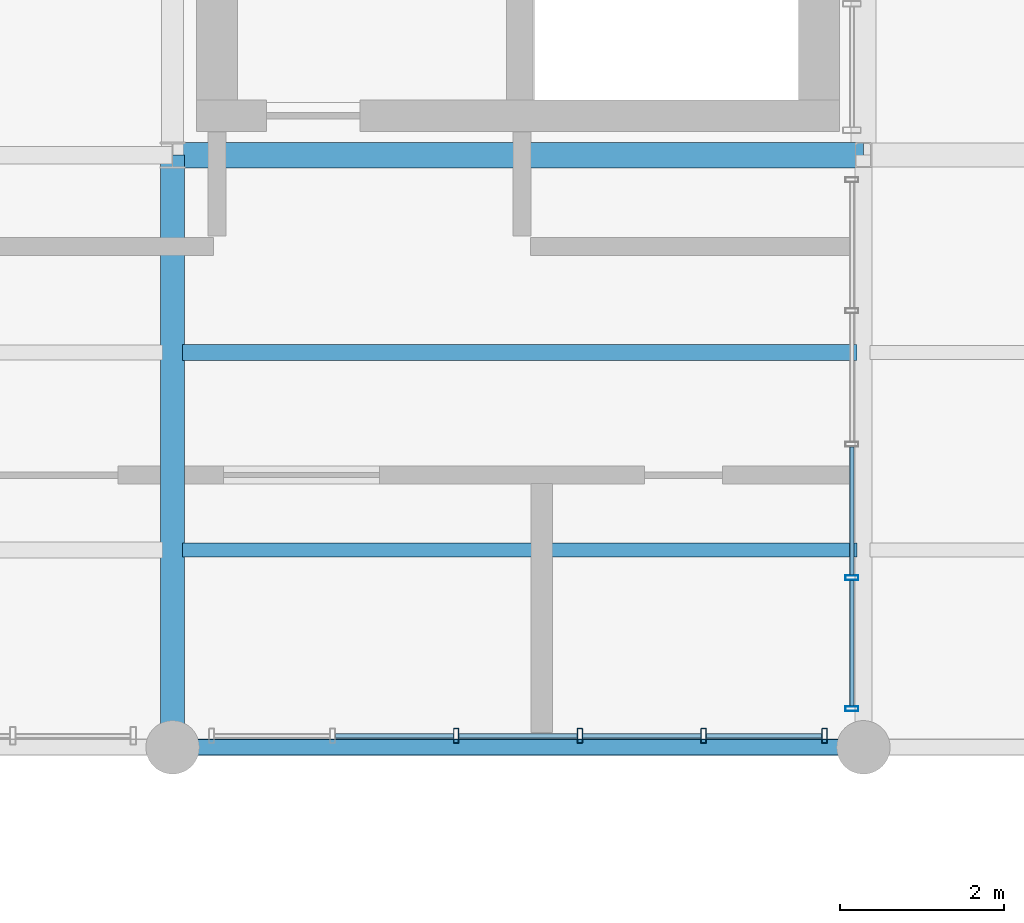
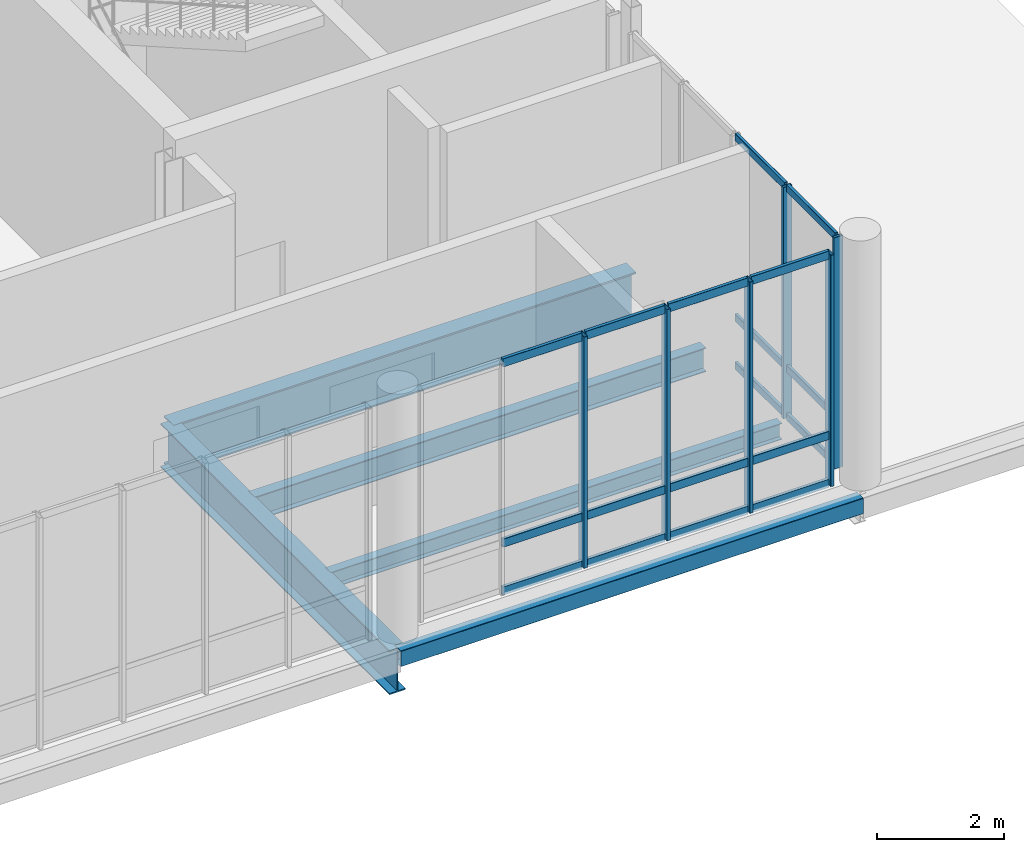
# One storey, part 32 of 81: 24 members, 5 beams, 2 elements without a shape of their own.
"""IFC4 building model written with IfcOpenShell, lengths in metres."""

from ifc_helpers import new_model, si_unit, direction, frame, origin_with_axes, origin_2d_with_axis, place, context, subcontext, project, spatial, hollow_rectangle, i_section, extrude, material, material_profile, profile_set, type_object, element, aggregate, save


model = new_model("IFC4")

# Units and contexts
model_context = context("Model", 3, precision=1e-05, world=origin_with_axes(), true_north=direction((0.0, 1.0)))
body_context = subcontext(model_context, "Body", "Model", "MODEL_VIEW")
ifc_project = project(units=[si_unit("LENGTHUNIT", "METRE"), si_unit("AREAUNIT", "SQUARE_METRE"), si_unit("VOLUMEUNIT", "CUBIC_METRE"), si_unit("PLANEANGLEUNIT", "RADIAN"), si_unit("MASSUNIT", "GRAM", prefix="KILO"), si_unit("THERMODYNAMICTEMPERATUREUNIT", "KELVIN")], contexts=[model_context])

# Site, building, storey
site_placement = place(None, origin_with_axes())
site = spatial("IfcSite", under=ifc_project, at=site_placement, CompositionType="ELEMENT")
building_placement = place(site_placement, origin_with_axes())
building = spatial("IfcBuilding", under=site, at=building_placement, Name="Montbau Bow Law Courts", CompositionType="ELEMENT")
storey_placement = place(building_placement, frame((0.0, 0.0, 24.9), z_axis=(0.0, 0.0, 1.0), x_axis=(1.0, 0.0, 0.0)))
storey = spatial("IfcBuildingStorey", under=building, at=storey_placement, Name="L05", CompositionType="ELEMENT", Elevation=24.9)

# Beams
ifc_material_1 = material(Name="Steel CSA G40.21 Grade 350W (350 MPa)", Category="steel")
ifc_material_profile_1 = material_profile(ifc_material_1, i_section(OverallWidth=0.306, OverallDepth=0.919, WebThickness=0.0173, FlangeThickness=0.0279, at=origin_2d_with_axis()), Name="W920X253", Category="Main", Priority=0)
ifc_profile_set_1 = profile_set([ifc_material_profile_1], Name="Steel CSA G40.21 Grade 350W (350 MPa)")
beam_type_1 = type_object("IfcBeamType", Name="B-FLR-01", PredefinedType="BEAM", material=ifc_profile_set_1)
beam_1_placement = place(None, frame((80.4, 46.2, 24.141), z_axis=(1.0, 0.0, 0.0), x_axis=(0.0, 1.0, 0.0)))
element("IfcBeam", 1, at=beam_1_placement, inside=storey, type_object=beam_type_1, Name="BM-L05-S0966:bm2_0969", PredefinedType="BEAM", context=body_context, shape_type="SweptSolid", body=[
    extrude(i_section(OverallWidth=0.306, OverallDepth=0.919, WebThickness=0.0173, FlangeThickness=0.0279, at=origin_2d_with_axis()), origin_with_axes(), (0.0, 0.0, 1.0), 8.4),
])
ifc_material_profile_2 = material_profile(ifc_material_1, i_section(OverallWidth=0.293, OverallDepth=0.846, WebThickness=0.0154, FlangeThickness=0.0244, at=origin_2d_with_axis()), Name="W840X210", Category="Main", Priority=0)
ifc_profile_set_2 = profile_set([ifc_material_profile_2], Name="Steel CSA G40.21 Grade 350W (350 MPa)")
beam_type_2 = type_object("IfcBeamType", Name="B-FLR-02", PredefinedType="BEAM", material=ifc_profile_set_2)
beam_2_placement = place(None, frame((80.4, 39.0, 24.177), z_axis=(0.0, 1.0, 0.0), x_axis=(-1.0, 0.0, 0.0)))
element("IfcBeam", 2, at=beam_2_placement, inside=storey, type_object=beam_type_2, Name="BM-L05-S0988:bm2_0991", PredefinedType="BEAM", context=body_context, shape_type="SweptSolid", body=[
    extrude(i_section(OverallWidth=0.293, OverallDepth=0.846, WebThickness=0.0154, FlangeThickness=0.0244, at=origin_2d_with_axis()), origin_with_axes(), (0.0, 0.0, 1.0), 7.2),
])
ifc_material_profile_3 = material_profile(ifc_material_1, i_section(OverallWidth=0.191, OverallDepth=0.46, WebThickness=0.0099, FlangeThickness=0.016, at=origin_2d_with_axis()), Name="W460X82", Category="Main", Priority=0)
ifc_profile_set_3 = profile_set([ifc_material_profile_3], Name="Steel CSA G40.21 Grade 350W (350 MPa)")
beam_type_3 = type_object("IfcBeamType", Name="B-JST-01", PredefinedType="JOIST", material=ifc_profile_set_3)
beam_3_placement = place(None, frame((80.523, 43.8, 24.37), z_axis=(1.0, 0.0, 0.0), x_axis=(0.0, 1.0, 0.0)))
element("IfcBeam", 3, at=beam_3_placement, inside=storey, type_object=beam_type_3, Name="JST-L05-S0504:jst2_0504", PredefinedType="JOIST", context=body_context, shape_type="SweptSolid", body=[
    extrude(i_section(OverallWidth=0.191, OverallDepth=0.46, WebThickness=0.0099, FlangeThickness=0.016, at=origin_2d_with_axis()), origin_with_axes(), (0.0, 0.0, 1.0), 8.196),
])
ifc_material_profile_4 = material_profile(ifc_material_1, i_section(OverallWidth=0.166, OverallDepth=0.313, WebThickness=0.0066, FlangeThickness=0.0112, at=origin_2d_with_axis()), Name="W310X45", Category="Main", Priority=0)
ifc_profile_set_4 = profile_set([ifc_material_profile_4], Name="Steel CSA G40.21 Grade 350W (350 MPa)")
beam_type_4 = type_object("IfcBeamType", Name="B-JST-04", PredefinedType="JOIST", material=ifc_profile_set_4)
beam_4_placement = place(None, frame((80.523, 41.4, 24.444), z_axis=(1.0, 0.0, 0.0), x_axis=(0.0, 1.0, 0.0)))
element("IfcBeam", 4, at=beam_4_placement, inside=storey, type_object=beam_type_4, Name="JST-L05-S0503:jst2_0503", PredefinedType="JOIST", context=body_context, shape_type="SweptSolid", body=[
    extrude(i_section(OverallWidth=0.166, OverallDepth=0.313, WebThickness=0.0066, FlangeThickness=0.0112, at=origin_2d_with_axis()), origin_with_axes(), (0.0, 0.0, 1.0), 8.196),
])
ifc_material_2 = material(Name="Steel CSA G40.21 Grade 350WT (350 MPa)", Category="steel")
ifc_material_profile_5 = material_profile(ifc_material_2, hollow_rectangle(XDim=0.203, YDim=0.305, WallThickness=0.0127, InnerFilletRadius=0.0254, OuterFilletRadius=0.0127, at=origin_2d_with_axis()), Name="HSS305X203X13", Category="Main", Priority=0)
ifc_profile_set_5 = profile_set([ifc_material_profile_5], Name="Steel CSA G40.21 Grade 350WT (350 MPa)")
beam_type_5 = type_object("IfcBeamType", Name="B-SPN-02", PredefinedType="SPANDREL", material=ifc_profile_set_5)
beam_5_placement = place(None, frame((80.4, 39.0, 24.448), z_axis=(1.0, 0.0, 0.0), x_axis=(0.0, 1.0, 0.0)))
element("IfcBeam", 5, at=beam_5_placement, inside=storey, type_object=beam_type_5, Name="SPN-L05-S0960:bm2_0963", PredefinedType="SPANDREL", context=body_context, shape_type="SweptSolid", body=[
    extrude(hollow_rectangle(XDim=0.203, YDim=0.305, WallThickness=0.0127, InnerFilletRadius=0.0254, OuterFilletRadius=0.0127, at=origin_2d_with_axis()), origin_with_axes(), (0.0, 0.0, 1.0), 8.4),
])

# Curtain wall, members
ifc_material_3 = material(Name="Thermally Broken Extruded Aluminium AA 6063-T6", Category="aluminium")
curtain_wall_type = type_object("IfcCurtainWallType", Name="CW-NCK-02", PredefinedType="NOTDEFINED", material=ifc_material_3)
curtain_wall_1_placement = place(None, frame((80.84, 39.14, 24.9), z_axis=(0.0, 0.0, 1.0), x_axis=(1.0, 0.0, 0.0)))
curtain_wall_1 = element("IfcCurtainWall", 6, at=curtain_wall_1_placement, inside=storey, type_object=curtain_wall_type, Name="CW-L05-214:cw_0214", PredefinedType="NOTDEFINED")
ifc_material_profile_6 = material_profile(ifc_material_3, hollow_rectangle(XDim=0.065, YDim=0.18, WallThickness=0.005, InnerFilletRadius=0.01, OuterFilletRadius=0.005, at=origin_2d_with_axis()), Name="CWM-180X65", Category="Main", Priority=0)
ifc_profile_set_6 = profile_set([ifc_material_profile_6], Name="Thermally Broken Extruded Aluminium AA 6063-T6")
member_type_1 = type_object("IfcMemberType", Name="M-MUL-02", PredefinedType="MULLION", material=ifc_profile_set_6)
member_1_placement = place(None, frame((83.848, 39.14, 24.9), z_axis=(0.0, 0.0, 1.0), x_axis=(1.0, 0.0, 0.0)))
member_1 = element("IfcMember", 7, at=member_1_placement, type_object=member_type_1, Name="CW-L05-214-M03:cw_0214_M03", PredefinedType="MULLION", context=body_context, shape_type="SweptSolid", body=[
    extrude(hollow_rectangle(XDim=0.065, YDim=0.18, WallThickness=0.005, InnerFilletRadius=0.01, OuterFilletRadius=0.005, at=origin_2d_with_axis()), origin_with_axes(), (0.0, 0.0, 1.0), 4.44),
])
member_2_placement = place(None, frame((85.352, 39.14, 24.9), z_axis=(0.0, 0.0, 1.0), x_axis=(1.0, 0.0, 0.0)))
member_2 = element("IfcMember", 8, at=member_2_placement, type_object=member_type_1, Name="CW-L05-214-M04:cw_0214_M04", PredefinedType="MULLION", context=body_context, shape_type="SweptSolid", body=[
    extrude(hollow_rectangle(XDim=0.065, YDim=0.18, WallThickness=0.005, InnerFilletRadius=0.01, OuterFilletRadius=0.005, at=origin_2d_with_axis()), origin_with_axes(), (0.0, 0.0, 1.0), 4.44),
])
member_3_placement = place(None, frame((86.856, 39.14, 24.9), z_axis=(0.0, 0.0, 1.0), x_axis=(1.0, 0.0, 0.0)))
member_3 = element("IfcMember", 9, at=member_3_placement, type_object=member_type_1, Name="CW-L05-214-M05:cw_0214_M05", PredefinedType="MULLION", context=body_context, shape_type="SweptSolid", body=[
    extrude(hollow_rectangle(XDim=0.065, YDim=0.18, WallThickness=0.005, InnerFilletRadius=0.01, OuterFilletRadius=0.005, at=origin_2d_with_axis()), origin_with_axes(), (0.0, 0.0, 1.0), 4.44),
])
member_4_placement = place(None, frame((88.327, 39.14, 24.9), z_axis=(0.0, 0.0, 1.0), x_axis=(1.0, 0.0, 0.0)))
member_4 = element("IfcMember", 10, at=member_4_placement, type_object=member_type_1, Name="CW-L05-214-M06:cw_0214_M06", PredefinedType="MULLION", context=body_context, shape_type="SweptSolid", body=[
    extrude(hollow_rectangle(XDim=0.065, YDim=0.18, WallThickness=0.005, InnerFilletRadius=0.01, OuterFilletRadius=0.005, at=origin_2d_with_axis()), origin_with_axes(), (0.0, 0.0, 1.0), 4.44),
])

curtain_wall_2_placement = place(None, frame((88.66, 39.44, 24.9), z_axis=(0.0, 0.0, 1.0), x_axis=(1.0, 0.0, 0.0)))
curtain_wall_2 = element("IfcCurtainWall", 11, at=curtain_wall_2_placement, inside=storey, type_object=curtain_wall_type, Name="CW-L05-221:cw_0221", PredefinedType="NOTDEFINED")
ifc_material_profile_7 = material_profile(ifc_material_3, hollow_rectangle(XDim=0.06, YDim=0.16, WallThickness=0.004, InnerFilletRadius=0.008, OuterFilletRadius=0.004, at=origin_2d_with_axis()), Name="CWM-160X60", Category="Main", Priority=0)
ifc_profile_set_7 = profile_set([ifc_material_profile_7], Name="Thermally Broken Extruded Aluminium AA 6063-T6")
member_type_2 = type_object("IfcMemberType", Name="M-MUL-03", PredefinedType="MULLION", material=ifc_profile_set_7)
member_5_placement = place(None, frame((88.66, 39.47, 24.9), z_axis=(0.0, 0.0, 1.0), x_axis=(0.0, 1.0, 0.0)))
member_5 = element("IfcMember", 12, at=member_5_placement, type_object=member_type_2, Name="CW-L05-221-M01:cw_0221_M01", PredefinedType="MULLION", context=body_context, shape_type="SweptSolid", body=[
    extrude(hollow_rectangle(XDim=0.06, YDim=0.16, WallThickness=0.004, InnerFilletRadius=0.008, OuterFilletRadius=0.004, at=origin_2d_with_axis()), origin_with_axes(), (0.0, 0.0, 1.0), 4.44),
])
member_6_placement = place(None, frame((88.66, 41.063, 24.9), z_axis=(0.0, 0.0, 1.0), x_axis=(0.0, 1.0, 0.0)))
member_6 = element("IfcMember", 13, at=member_6_placement, type_object=member_type_2, Name="CW-L05-221-M02:cw_0221_M02", PredefinedType="MULLION", context=body_context, shape_type="SweptSolid", body=[
    extrude(hollow_rectangle(XDim=0.06, YDim=0.16, WallThickness=0.004, InnerFilletRadius=0.008, OuterFilletRadius=0.004, at=origin_2d_with_axis()), origin_with_axes(), (0.0, 0.0, 1.0), 4.44),
])

# Member
ifc_material_profile_8 = material_profile(ifc_material_3, hollow_rectangle(XDim=0.06, YDim=0.16, WallThickness=0.004, InnerFilletRadius=0.008, OuterFilletRadius=0.004, at=origin_2d_with_axis()), Name="CWT-160X60", Category="Main", Priority=0)
ifc_profile_set_8 = profile_set([ifc_material_profile_8], Name="Thermally Broken Extruded Aluminium AA 6063-T6")
member_type_3 = type_object("IfcMemberType", Name="M-TRN-01", PredefinedType="USERDEFINED", material=ifc_profile_set_8)
member_7_placement = place(None, frame((82.378, 39.14, 24.93), z_axis=(1.0, 0.0, 0.0), x_axis=(0.0, 1.0, 0.0)))
member_7 = element("IfcMember", 14, at=member_7_placement, type_object=member_type_3, Name="CW-L05-214-T02-1:cw_0214_T02_1", ObjectType="TRANSOM", PredefinedType="USERDEFINED", context=body_context, shape_type="SweptSolid", body=[
    extrude(hollow_rectangle(XDim=0.06, YDim=0.16, WallThickness=0.004, InnerFilletRadius=0.008, OuterFilletRadius=0.004, at=origin_2d_with_axis()), origin_with_axes(), (0.0, 0.0, 1.0), 1.436),
])

member_8_placement = place(None, frame((82.378, 39.14, 25.85), z_axis=(1.0, 0.0, 0.0), x_axis=(0.0, 1.0, 0.0)))
member_8 = element("IfcMember", 15, at=member_8_placement, type_object=member_type_3, Name="CW-L05-214-T02-2:cw_0214_T02_2", ObjectType="TRANSOM", PredefinedType="USERDEFINED", context=body_context, shape_type="SweptSolid", body=[
    extrude(hollow_rectangle(XDim=0.06, YDim=0.16, WallThickness=0.004, InnerFilletRadius=0.008, OuterFilletRadius=0.004, at=origin_2d_with_axis()), origin_with_axes(), (0.0, 0.0, 1.0), 1.436),
])

member_9_placement = place(None, frame((82.378, 39.14, 29.31), z_axis=(1.0, 0.0, 0.0), x_axis=(0.0, 1.0, 0.0)))
member_9 = element("IfcMember", 16, at=member_9_placement, type_object=member_type_3, Name="CW-L05-214-T02-3:cw_0214_T02_3", ObjectType="TRANSOM", PredefinedType="USERDEFINED", context=body_context, shape_type="SweptSolid", body=[
    extrude(hollow_rectangle(XDim=0.06, YDim=0.16, WallThickness=0.004, InnerFilletRadius=0.008, OuterFilletRadius=0.004, at=origin_2d_with_axis()), origin_with_axes(), (0.0, 0.0, 1.0), 1.436),
])

member_10_placement = place(None, frame((83.882, 39.14, 24.93), z_axis=(1.0, 0.0, 0.0), x_axis=(0.0, 1.0, 0.0)))
member_10 = element("IfcMember", 17, at=member_10_placement, type_object=member_type_3, Name="CW-L05-214-T03-1:cw_0214_T03_1", ObjectType="TRANSOM", PredefinedType="USERDEFINED", context=body_context, shape_type="SweptSolid", body=[
    extrude(hollow_rectangle(XDim=0.06, YDim=0.16, WallThickness=0.004, InnerFilletRadius=0.008, OuterFilletRadius=0.004, at=origin_2d_with_axis()), origin_with_axes(), (0.0, 0.0, 1.0), 1.436),
])

member_11_placement = place(None, frame((83.882, 39.14, 25.85), z_axis=(1.0, 0.0, 0.0), x_axis=(0.0, 1.0, 0.0)))
member_11 = element("IfcMember", 18, at=member_11_placement, type_object=member_type_3, Name="CW-L05-214-T03-2:cw_0214_T03_2", ObjectType="TRANSOM", PredefinedType="USERDEFINED", context=body_context, shape_type="SweptSolid", body=[
    extrude(hollow_rectangle(XDim=0.06, YDim=0.16, WallThickness=0.004, InnerFilletRadius=0.008, OuterFilletRadius=0.004, at=origin_2d_with_axis()), origin_with_axes(), (0.0, 0.0, 1.0), 1.436),
])

member_12_placement = place(None, frame((83.882, 39.14, 29.31), z_axis=(1.0, 0.0, 0.0), x_axis=(0.0, 1.0, 0.0)))
member_12 = element("IfcMember", 19, at=member_12_placement, type_object=member_type_3, Name="CW-L05-214-T03-3:cw_0214_T03_3", ObjectType="TRANSOM", PredefinedType="USERDEFINED", context=body_context, shape_type="SweptSolid", body=[
    extrude(hollow_rectangle(XDim=0.06, YDim=0.16, WallThickness=0.004, InnerFilletRadius=0.008, OuterFilletRadius=0.004, at=origin_2d_with_axis()), origin_with_axes(), (0.0, 0.0, 1.0), 1.436),
])

member_13_placement = place(None, frame((85.386, 39.14, 24.93), z_axis=(1.0, 0.0, 0.0), x_axis=(0.0, 1.0, 0.0)))
member_13 = element("IfcMember", 20, at=member_13_placement, type_object=member_type_3, Name="CW-L05-214-T04-1:cw_0214_T04_1", ObjectType="TRANSOM", PredefinedType="USERDEFINED", context=body_context, shape_type="SweptSolid", body=[
    extrude(hollow_rectangle(XDim=0.06, YDim=0.16, WallThickness=0.004, InnerFilletRadius=0.008, OuterFilletRadius=0.004, at=origin_2d_with_axis()), origin_with_axes(), (0.0, 0.0, 1.0), 1.436),
])

member_14_placement = place(None, frame((85.386, 39.14, 25.85), z_axis=(1.0, 0.0, 0.0), x_axis=(0.0, 1.0, 0.0)))
member_14 = element("IfcMember", 21, at=member_14_placement, type_object=member_type_3, Name="CW-L05-214-T04-2:cw_0214_T04_2", ObjectType="TRANSOM", PredefinedType="USERDEFINED", context=body_context, shape_type="SweptSolid", body=[
    extrude(hollow_rectangle(XDim=0.06, YDim=0.16, WallThickness=0.004, InnerFilletRadius=0.008, OuterFilletRadius=0.004, at=origin_2d_with_axis()), origin_with_axes(), (0.0, 0.0, 1.0), 1.436),
])

member_15_placement = place(None, frame((85.386, 39.14, 29.31), z_axis=(1.0, 0.0, 0.0), x_axis=(0.0, 1.0, 0.0)))
member_15 = element("IfcMember", 22, at=member_15_placement, type_object=member_type_3, Name="CW-L05-214-T04-3:cw_0214_T04_3", ObjectType="TRANSOM", PredefinedType="USERDEFINED", context=body_context, shape_type="SweptSolid", body=[
    extrude(hollow_rectangle(XDim=0.06, YDim=0.16, WallThickness=0.004, InnerFilletRadius=0.008, OuterFilletRadius=0.004, at=origin_2d_with_axis()), origin_with_axes(), (0.0, 0.0, 1.0), 1.436),
])

member_16_placement = place(None, frame((86.89, 39.14, 24.93), z_axis=(1.0, 0.0, 0.0), x_axis=(0.0, 1.0, 0.0)))
member_16 = element("IfcMember", 23, at=member_16_placement, type_object=member_type_3, Name="CW-L05-214-T05-1:cw_0214_T05_1", ObjectType="TRANSOM", PredefinedType="USERDEFINED", context=body_context, shape_type="SweptSolid", body=[
    extrude(hollow_rectangle(XDim=0.06, YDim=0.16, WallThickness=0.004, InnerFilletRadius=0.008, OuterFilletRadius=0.004, at=origin_2d_with_axis()), origin_with_axes(), (0.0, 0.0, 1.0), 1.403),
])

member_17_placement = place(None, frame((86.89, 39.14, 25.85), z_axis=(1.0, 0.0, 0.0), x_axis=(0.0, 1.0, 0.0)))
member_17 = element("IfcMember", 24, at=member_17_placement, type_object=member_type_3, Name="CW-L05-214-T05-2:cw_0214_T05_2", ObjectType="TRANSOM", PredefinedType="USERDEFINED", context=body_context, shape_type="SweptSolid", body=[
    extrude(hollow_rectangle(XDim=0.06, YDim=0.16, WallThickness=0.004, InnerFilletRadius=0.008, OuterFilletRadius=0.004, at=origin_2d_with_axis()), origin_with_axes(), (0.0, 0.0, 1.0), 1.403),
])

member_18_placement = place(None, frame((86.89, 39.14, 29.31), z_axis=(1.0, 0.0, 0.0), x_axis=(0.0, 1.0, 0.0)))
member_18 = element("IfcMember", 25, at=member_18_placement, type_object=member_type_3, Name="CW-L05-214-T05-3:cw_0214_T05_3", ObjectType="TRANSOM", PredefinedType="USERDEFINED", context=body_context, shape_type="SweptSolid", body=[
    extrude(hollow_rectangle(XDim=0.06, YDim=0.16, WallThickness=0.004, InnerFilletRadius=0.008, OuterFilletRadius=0.004, at=origin_2d_with_axis()), origin_with_axes(), (0.0, 0.0, 1.0), 1.403),
])

aggregate(curtain_wall_1, [member_1, member_2, member_3, member_4, member_7, member_8, member_9, member_10, member_11, member_12, member_13, member_14, member_15, member_16, member_17, member_18])

ifc_material_profile_9 = material_profile(ifc_material_3, hollow_rectangle(XDim=0.055, YDim=0.14, WallThickness=0.004, InnerFilletRadius=0.008, OuterFilletRadius=0.004, at=origin_2d_with_axis()), Name="CWT-140X55", Category="Main", Priority=0)
ifc_profile_set_9 = profile_set([ifc_material_profile_9], Name="Thermally Broken Extruded Aluminium AA 6063-T6")
member_type_4 = type_object("IfcMemberType", Name="M-TRN-02", PredefinedType="USERDEFINED", material=ifc_profile_set_9)
member_19_placement = place(None, frame((88.66, 39.502, 24.927), z_axis=(0.0, 1.0, 0.0), x_axis=(-1.0, 0.0, 0.0)))
member_19 = element("IfcMember", 26, at=member_19_placement, type_object=member_type_4, Name="CW-L05-221-T01-1:cw_0221_T01_1", ObjectType="TRANSOM", PredefinedType="USERDEFINED", context=body_context, shape_type="SweptSolid", body=[
    extrude(hollow_rectangle(XDim=0.055, YDim=0.14, WallThickness=0.004, InnerFilletRadius=0.008, OuterFilletRadius=0.004, at=origin_2d_with_axis()), origin_with_axes(), (0.0, 0.0, 1.0), 1.529),
])

member_20_placement = place(None, frame((88.66, 39.502, 25.85), z_axis=(0.0, 1.0, 0.0), x_axis=(-1.0, 0.0, 0.0)))
member_20 = element("IfcMember", 27, at=member_20_placement, type_object=member_type_4, Name="CW-L05-221-T01-2:cw_0221_T01_2", ObjectType="TRANSOM", PredefinedType="USERDEFINED", context=body_context, shape_type="SweptSolid", body=[
    extrude(hollow_rectangle(XDim=0.055, YDim=0.14, WallThickness=0.004, InnerFilletRadius=0.008, OuterFilletRadius=0.004, at=origin_2d_with_axis()), origin_with_axes(), (0.0, 0.0, 1.0), 1.529),
])

member_21_placement = place(None, frame((88.66, 39.502, 29.312), z_axis=(0.0, 1.0, 0.0), x_axis=(-1.0, 0.0, 0.0)))
member_21 = element("IfcMember", 28, at=member_21_placement, type_object=member_type_4, Name="CW-L05-221-T01-3:cw_0221_T01_3", ObjectType="TRANSOM", PredefinedType="USERDEFINED", context=body_context, shape_type="SweptSolid", body=[
    extrude(hollow_rectangle(XDim=0.055, YDim=0.14, WallThickness=0.004, InnerFilletRadius=0.008, OuterFilletRadius=0.004, at=origin_2d_with_axis()), origin_with_axes(), (0.0, 0.0, 1.0), 1.529),
])

member_22_placement = place(None, frame((88.66, 41.095, 24.927), z_axis=(0.0, 1.0, 0.0), x_axis=(-1.0, 0.0, 0.0)))
member_22 = element("IfcMember", 29, at=member_22_placement, type_object=member_type_4, Name="CW-L05-221-T02-1:cw_0221_T02_1", ObjectType="TRANSOM", PredefinedType="USERDEFINED", context=body_context, shape_type="SweptSolid", body=[
    extrude(hollow_rectangle(XDim=0.055, YDim=0.14, WallThickness=0.004, InnerFilletRadius=0.008, OuterFilletRadius=0.004, at=origin_2d_with_axis()), origin_with_axes(), (0.0, 0.0, 1.0), 1.559),
])

member_23_placement = place(None, frame((88.66, 41.095, 25.85), z_axis=(0.0, 1.0, 0.0), x_axis=(-1.0, 0.0, 0.0)))
member_23 = element("IfcMember", 30, at=member_23_placement, type_object=member_type_4, Name="CW-L05-221-T02-2:cw_0221_T02_2", ObjectType="TRANSOM", PredefinedType="USERDEFINED", context=body_context, shape_type="SweptSolid", body=[
    extrude(hollow_rectangle(XDim=0.055, YDim=0.14, WallThickness=0.004, InnerFilletRadius=0.008, OuterFilletRadius=0.004, at=origin_2d_with_axis()), origin_with_axes(), (0.0, 0.0, 1.0), 1.559),
])

member_24_placement = place(None, frame((88.66, 41.095, 29.312), z_axis=(0.0, 1.0, 0.0), x_axis=(-1.0, 0.0, 0.0)))
member_24 = element("IfcMember", 31, at=member_24_placement, type_object=member_type_4, Name="CW-L05-221-T02-3:cw_0221_T02_3", ObjectType="TRANSOM", PredefinedType="USERDEFINED", context=body_context, shape_type="SweptSolid", body=[
    extrude(hollow_rectangle(XDim=0.055, YDim=0.14, WallThickness=0.004, InnerFilletRadius=0.008, OuterFilletRadius=0.004, at=origin_2d_with_axis()), origin_with_axes(), (0.0, 0.0, 1.0), 1.559),
])

aggregate(curtain_wall_2, [member_5, member_6, member_19, member_20, member_21, member_22, member_23, member_24])

save(model, "model.ifc")
